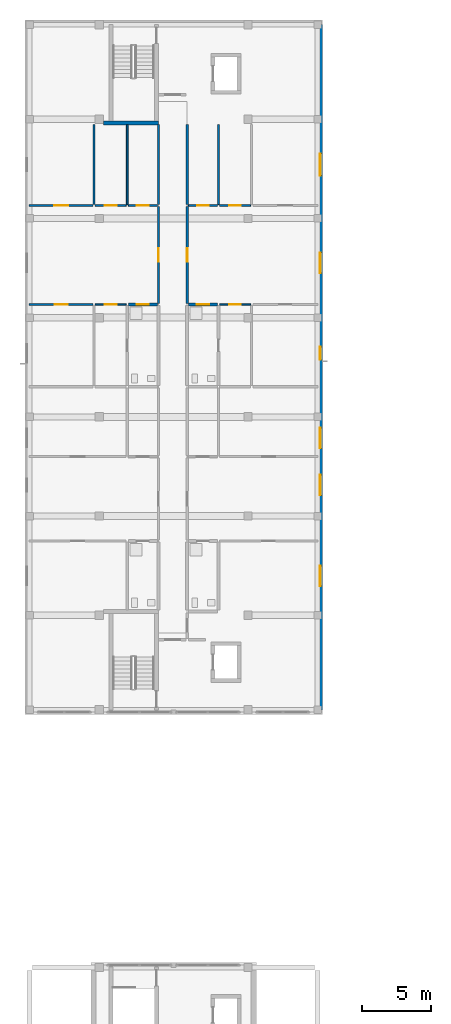
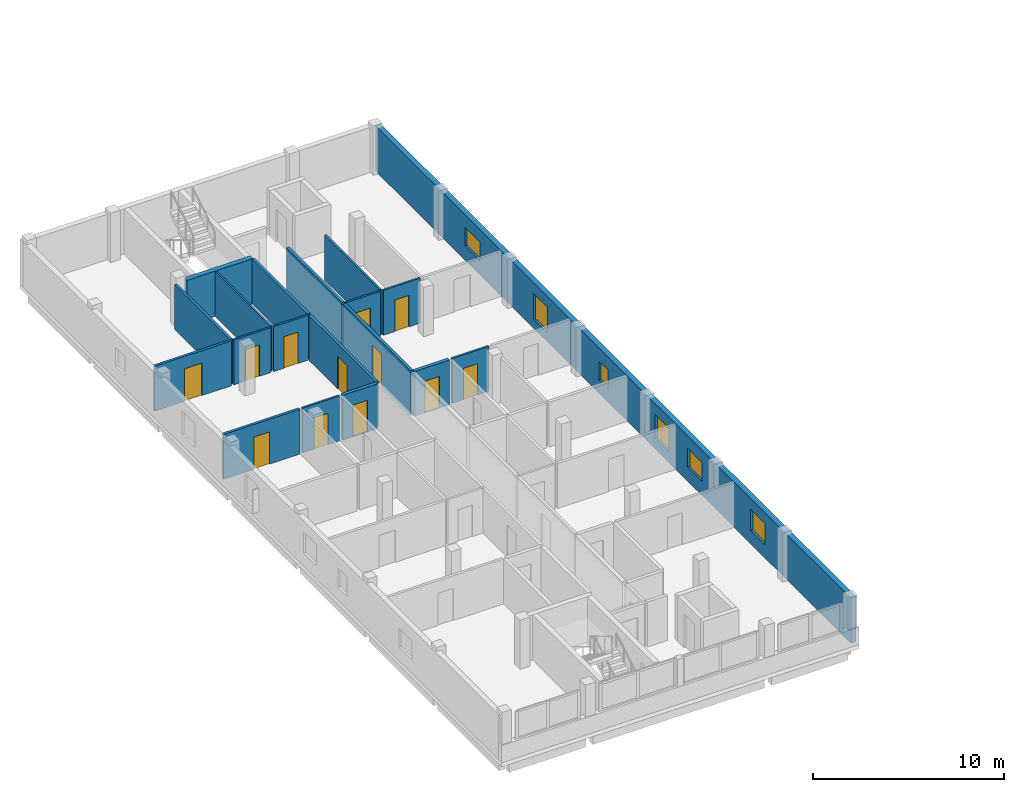
# One storey, part 15 of 34: 19 walls, 12 doors, 6 windows, 18 openings.
"""IFC4 building model written with IfcOpenShell, lengths in metres."""

from ifc_helpers import new_model, si_unit, derived_unit, direction, frame, frame_2d, origin, place, context, subcontext, project, spatial, rectangle, extrude, material, layer, layer_set, type_object, element, fill, save


model = new_model("IFC4")

# Units and contexts
model_context = context("Model", 3, precision=1e-05, world=origin(), true_north=direction((0.0, 1.0)))
body_context = subcontext(model_context, "Body", "Model", "MODEL_VIEW")
ifc_project = project(units=[si_unit("LENGTHUNIT", "METRE"), si_unit("AREAUNIT", "SQUARE_METRE"), si_unit("VOLUMEUNIT", "CUBIC_METRE"), si_unit("PLANEANGLEUNIT", "RADIAN"), si_unit("MASSUNIT", "GRAM", prefix="KILO"), derived_unit("THERMALTRANSMITTANCEUNIT", [(si_unit("MASSUNIT", "GRAM", prefix="KILO"), 1), (si_unit("TIMEUNIT", "SECOND"), -3), (si_unit("THERMODYNAMICTEMPERATUREUNIT", "KELVIN"), -1)])], contexts=[model_context])

# Site, building, storey
site_placement = place(None, origin())
site = spatial("IfcSite", under=ifc_project, at=site_placement, CompositionType="ELEMENT")
building_placement = place(site_placement, origin())
building = spatial("IfcBuilding", under=site, at=building_placement, Name="Ochrekiln Boulevard Commons", CompositionType="ELEMENT")
storey_placement = place(building_placement, frame((0.0, 0.0, 27.824951171875)))
storey = spatial("IfcBuildingStorey", under=building, at=storey_placement, Name="L08", CompositionType="ELEMENT", Elevation=27.824951171875)

# Wall, openings, windows
ifc_material_1 = material(Name="Desert ochre clinker brick masonry ASTM C216 Grade SW", Category="masonry")
ifc_layer_1 = layer(ifc_material_1, 0.320068359375)
ifc_layer_set_1 = layer_set([ifc_layer_1], Name="Desert ochre clinker brick masonry ASTM C216 Grade SW")
wall_type_1 = type_object("IfcWallType", Name="WL-EXT-OCHRE-320", PredefinedType="SOLIDWALL", material=ifc_layer_set_1)
wall_1_placement = place(storey_placement, frame((21.43994140625, 68.719970703125, 0.0), z_axis=(0.0, 0.0, 1.0), x_axis=(0.0, 1.0, 0.0)))
wall_1 = element("IfcWall", 1, at=wall_1_placement, inside=storey, type_object=wall_type_1, Name="Block A L08 E Exterior Wall", PredefinedType="SOLIDWALL", context=body_context, shape_type="SweptSolid", body=[
    extrude(rectangle(XDim=49.760009765625, YDim=0.320068359375, at=frame_2d((24.8798828125, 0.0))), origin(), (0.0, 0.0, 1.0), 2.89013671875),
])
opening_1_placement = place(wall_1_placement, frame((15.590087890625, 0.0, 0.89990234375)))
opening_1 = element("IfcOpeningElement", 2, at=opening_1_placement, cuts=wall_1, Name="Opening W-26", PredefinedType="OPENING", context=body_context, shape_type="SweptSolid", body=[
    extrude(rectangle(XDim=1.47998046875, YDim=1.199951171875, at=frame_2d((0.739990234375, 0.60009765625))), frame((0.0, 0.169921875, 0.0), z_axis=(0.0, -1.0, 0.0), x_axis=(1.0, 0.0, 0.0)), (0.0, 0.0, 1.0), 0.340087890625),
])
opening_2_placement = place(wall_1_placement, frame((8.99609375, 0.0, 0.85498046875)))
opening_2 = element("IfcOpeningElement", 3, at=opening_2_placement, cuts=wall_1, Name="Opening W-27", PredefinedType="OPENING", context=body_context, shape_type="SweptSolid", body=[
    extrude(rectangle(XDim=1.47998046875, YDim=1.35009765625, at=frame_2d((0.739990234375, 0.675048828125))), frame((0.0, 0.169921875, 0.0), z_axis=(0.0, -1.0, 0.0), x_axis=(1.0, 0.0, 0.0)), (0.0, 0.0, 1.0), 0.340087890625),
])
opening_3_placement = place(wall_1_placement, frame((19.0, 0.0, 0.705078125)))
opening_3 = element("IfcOpeningElement", 4, at=opening_3_placement, cuts=wall_1, Name="Opening W-28", PredefinedType="OPENING", context=body_context, shape_type="SweptSolid", body=[
    extrude(rectangle(XDim=1.47998046875, YDim=1.5, at=frame_2d((0.739990234375, 0.75))), frame((0.0, 0.169921875, 0.0), z_axis=(0.0, -1.0, 0.0), x_axis=(1.0, 0.0, 0.0)), (0.0, 0.0, 1.0), 0.340087890625),
])
opening_4_placement = place(wall_1_placement, frame((31.718994140625, 0.0, 0.554931640625)))
opening_4 = element("IfcOpeningElement", 5, at=opening_4_placement, cuts=wall_1, Name="Opening W-29", PredefinedType="OPENING", context=body_context, shape_type="SweptSolid", body=[
    extrude(rectangle(XDim=1.47998046875, YDim=1.64990234375, at=frame_2d((0.739990234375, 0.824951171875))), frame((0.0, 0.169921875, 0.0), z_axis=(0.0, -1.0, 0.0), x_axis=(1.0, 0.0, 0.0)), (0.0, 0.0, 1.0), 0.340087890625),
])
opening_5_placement = place(wall_1_placement, frame((25.410888671875, 0.0, 0.85009765625)))
opening_5 = element("IfcOpeningElement", 6, at=opening_5_placement, cuts=wall_1, Name="Opening W-01", PredefinedType="OPENING", context=body_context, shape_type="SweptSolid", body=[
    extrude(rectangle(XDim=0.949951171875, YDim=1.199951171875, at=frame_2d((0.47509765625, 0.60009765625))), frame((0.0, 0.169921875, 0.0), z_axis=(0.0, -1.0, 0.0), x_axis=(1.0, 0.0, 0.0)), (0.0, 0.0, 1.0), 0.340087890625),
])
opening_6_placement = place(wall_1_placement, frame((38.7880859375, 0.0, 0.89990234375)))
opening_6 = element("IfcOpeningElement", 7, at=opening_6_placement, cuts=wall_1, Name="Opening W-31", PredefinedType="OPENING", context=body_context, shape_type="SweptSolid", body=[
    extrude(rectangle(XDim=1.60009765625, YDim=1.199951171875, at=frame_2d((0.800048828125, 0.60009765625))), frame((0.0, 0.169921875, 0.0), z_axis=(0.0, -1.0, 0.0), x_axis=(1.0, 0.0, 0.0)), (0.0, 0.0, 1.0), 0.340087890625),
])
ifc_material_2 = material(Name="Thermally broken aluminium-clad oak frame", Category="aluminium")
window_type_1 = type_object("IfcWindowType", Name="WIN-EXT-01", PartitioningType="SINGLE_PANEL", PredefinedType="WINDOW", material=ifc_material_2)
window_1_placement = place(opening_5_placement, origin())
window_1 = element("IfcWindow", 8, at=window_1_placement, inside=storey, type_object=window_type_1, Name="Block A L08 Punched Masonry Window W-01", OverallHeight=1.199951171875, OverallWidth=0.949951171875, PartitioningType="SINGLE_PANEL", PredefinedType="WINDOW", context=body_context, shape_type="SweptSolid", body=[
    extrude(rectangle(XDim=0.949951171875, YDim=1.199951171875, at=frame_2d((0.47509765625, 0.60009765625))), frame((0.0, 0.030029296875, 0.0), z_axis=(0.0, -1.0, 0.0), x_axis=(1.0, 0.0, 0.0)), (0.0, 0.0, 1.0), 0.06005859375),
])
fill(opening_5, window_1)
window_type_2 = type_object("IfcWindowType", Name="WIN-EXT-26", PartitioningType="SINGLE_PANEL", PredefinedType="WINDOW", material=ifc_material_2)
window_2_placement = place(opening_1_placement, origin())
window_2 = element("IfcWindow", 9, at=window_2_placement, inside=storey, type_object=window_type_2, Name="Block A L08 Punched Masonry Window W-26", OverallHeight=1.199951171875, OverallWidth=1.47998046875, PartitioningType="SINGLE_PANEL", PredefinedType="WINDOW", context=body_context, shape_type="SweptSolid", body=[
    extrude(rectangle(XDim=1.47998046875, YDim=1.199951171875, at=frame_2d((0.739990234375, 0.60009765625))), frame((0.0, 0.030029296875, 0.0), z_axis=(0.0, -1.0, 0.0), x_axis=(1.0, 0.0, 0.0)), (0.0, 0.0, 1.0), 0.06005859375),
])
fill(opening_1, window_2)
window_type_3 = type_object("IfcWindowType", Name="WIN-EXT-27", PartitioningType="SINGLE_PANEL", PredefinedType="WINDOW", material=ifc_material_2)
window_3_placement = place(opening_2_placement, origin())
window_3 = element("IfcWindow", 10, at=window_3_placement, inside=storey, type_object=window_type_3, Name="Block A L08 Punched Masonry Window W-27", OverallHeight=1.35009765625, OverallWidth=1.47998046875, PartitioningType="SINGLE_PANEL", PredefinedType="WINDOW", context=body_context, shape_type="SweptSolid", body=[
    extrude(rectangle(XDim=1.47998046875, YDim=1.35009765625, at=frame_2d((0.739990234375, 0.675048828125))), frame((0.0, 0.030029296875, 0.0), z_axis=(0.0, -1.0, 0.0), x_axis=(1.0, 0.0, 0.0)), (0.0, 0.0, 1.0), 0.06005859375),
])
fill(opening_2, window_3)
window_type_4 = type_object("IfcWindowType", Name="WIN-EXT-28", PartitioningType="SINGLE_PANEL", PredefinedType="WINDOW", material=ifc_material_2)
window_4_placement = place(opening_3_placement, origin())
window_4 = element("IfcWindow", 11, at=window_4_placement, inside=storey, type_object=window_type_4, Name="Block A L08 Punched Masonry Window W-28", OverallHeight=1.5, OverallWidth=1.47998046875, PartitioningType="SINGLE_PANEL", PredefinedType="WINDOW", context=body_context, shape_type="SweptSolid", body=[
    extrude(rectangle(XDim=1.47998046875, YDim=1.5, at=frame_2d((0.739990234375, 0.75))), frame((0.0, 0.030029296875, 0.0), z_axis=(0.0, -1.0, 0.0), x_axis=(1.0, 0.0, 0.0)), (0.0, 0.0, 1.0), 0.06005859375),
])
fill(opening_3, window_4)
window_type_5 = type_object("IfcWindowType", Name="WIN-EXT-29", PartitioningType="SINGLE_PANEL", PredefinedType="WINDOW", material=ifc_material_2)
window_5_placement = place(opening_4_placement, origin())
window_5 = element("IfcWindow", 12, at=window_5_placement, inside=storey, type_object=window_type_5, Name="Block A L08 Punched Masonry Window W-29", OverallHeight=1.64990234375, OverallWidth=1.47998046875, PartitioningType="SINGLE_PANEL", PredefinedType="WINDOW", context=body_context, shape_type="SweptSolid", body=[
    extrude(rectangle(XDim=1.47998046875, YDim=1.64990234375, at=frame_2d((0.739990234375, 0.824951171875))), frame((0.0, 0.030029296875, 0.0), z_axis=(0.0, -1.0, 0.0), x_axis=(1.0, 0.0, 0.0)), (0.0, 0.0, 1.0), 0.06005859375),
])
fill(opening_4, window_5)
window_type_6 = type_object("IfcWindowType", Name="WIN-EXT-31", PartitioningType="DOUBLE_PANEL_VERTICAL", PredefinedType="WINDOW", material=ifc_material_2)
window_6_placement = place(opening_6_placement, origin())
window_6 = element("IfcWindow", 13, at=window_6_placement, inside=storey, type_object=window_type_6, Name="Block A L08 Punched Masonry Window W-31", OverallHeight=1.199951171875, OverallWidth=1.60009765625, PartitioningType="DOUBLE_PANEL_VERTICAL", PredefinedType="WINDOW", context=body_context, shape_type="SweptSolid", body=[
    extrude(rectangle(XDim=1.60009765625, YDim=1.199951171875, at=frame_2d((0.800048828125, 0.60009765625))), frame((0.0, 0.030029296875, 0.0), z_axis=(0.0, -1.0, 0.0), x_axis=(1.0, 0.0, 0.0)), (0.0, 0.0, 1.0), 0.06005859375),
])
fill(opening_6, window_6)

# Wall, opening, door
ifc_material_3 = material(Name="Moisture-resistant cementitious tile backer wall")
ifc_layer_2 = layer(ifc_material_3, 0.199951171875)
ifc_layer_set_2 = layer_set([ifc_layer_2], Name="Moisture-resistant cementitious tile backer wall")
wall_type_2 = type_object("IfcWallType", Name="WL-PLM-200", PredefinedType="PLUMBINGWALL", material=ifc_layer_set_2)
wall_2_placement = place(storey_placement, frame((7.52001953125, 98.14697265625, 0.0), z_axis=(0.0, 0.0, 1.0), x_axis=(1.0, 0.0, 0.0)))
wall_2 = element("IfcWall", 14, at=wall_2_placement, inside=storey, type_object=wall_type_2, Name="L08 Interior Wall W-PW200", PredefinedType="PLUMBINGWALL", context=body_context, shape_type="SweptSolid", body=[
    extrude(rectangle(XDim=2.10791015625, YDim=0.199951171875, at=frame_2d((1.053955078125, 0.0))), origin(), (0.0, 0.0, 1.0), 2.8701171875),
])
opening_7_placement = place(wall_2_placement, frame((0.60498046875, 0.0, 0.0)))
opening_7 = element("IfcOpeningElement", 15, at=opening_7_placement, cuts=wall_2, Name="Opening D-L08-1013", PredefinedType="OPENING", context=body_context, shape_type="SweptSolid", body=[
    extrude(rectangle(XDim=0.889892578125, YDim=2.030029296875, at=frame_2d((0.44482421875, 1.01513671875))), frame((0.0, 0.10986328125, 0.0), z_axis=(0.0, -1.0, 0.0), x_axis=(1.0, 0.0, 0.0)), (0.0, 0.0, 1.0), 0.219970703125),
])
ifc_material_4 = material(Name="Solid core architectural oak door leaf")
door_type_1 = type_object("IfcDoorType", Name="DR-INT-BTH-089", OperationType="NOTDEFINED", PredefinedType="DOOR", material=ifc_material_4)
door_1_placement = place(opening_7_placement, frame((0.889892578125, 0.0, 0.0), z_axis=(0.0, 0.0, 1.0), x_axis=(-1.0, 0.0, 0.0)))
door_1 = element("IfcDoor", 16, at=door_1_placement, inside=storey, type_object=door_type_1, Name="L08 Interior Door to Apartment Bathroom", OperationType="SINGLE_SWING_LEFT", OverallHeight=2.030029296875, OverallWidth=0.889892578125, PredefinedType="DOOR", context=body_context, shape_type="SweptSolid", body=[
    extrude(rectangle(XDim=0.889892578125, YDim=2.030029296875, at=frame_2d((0.44482421875, 1.01513671875))), frame((0.0, 0.02490234375, 0.0), z_axis=(0.0, -1.0, 0.0), x_axis=(1.0, 0.0, 0.0)), (0.0, 0.0, 1.0), 0.050048828125),
])
fill(opening_7, door_1)

wall_3_placement = place(storey_placement, frame((11.8720703125, 98.14697265625, 0.0), z_axis=(0.0, 0.0, 1.0), x_axis=(1.0, 0.0, 0.0)))
wall_3 = element("IfcWall", 17, at=wall_3_placement, inside=storey, type_object=wall_type_2, Name="L08 Interior Wall W-PW200", PredefinedType="PLUMBINGWALL", context=body_context, shape_type="SweptSolid", body=[
    extrude(rectangle(XDim=2.10791015625, YDim=0.199951171875, at=frame_2d((1.053955078125, 0.0))), origin(), (0.0, 0.0, 1.0), 2.8701171875),
])
opening_8_placement = place(wall_3_placement, frame((0.613037109375, 0.0, 0.0)))
opening_8 = element("IfcOpeningElement", 18, at=opening_8_placement, cuts=wall_3, Name="Opening D-L08-1024", PredefinedType="OPENING", context=body_context, shape_type="SweptSolid", body=[
    extrude(rectangle(XDim=0.889892578125, YDim=2.030029296875, at=frame_2d((0.44482421875, 1.01513671875))), frame((0.0, 0.10986328125, 0.0), z_axis=(0.0, -1.0, 0.0), x_axis=(1.0, 0.0, 0.0)), (0.0, 0.0, 1.0), 0.219970703125),
])
door_2_placement = place(opening_8_placement, frame((0.889892578125, 0.0, 0.0), z_axis=(0.0, 0.0, 1.0), x_axis=(-1.0, 0.0, 0.0)))
door_2 = element("IfcDoor", 19, at=door_2_placement, inside=storey, type_object=door_type_1, Name="L08 Interior Door to Apartment Bathroom", OperationType="SINGLE_SWING_RIGHT", OverallHeight=2.030029296875, OverallWidth=0.889892578125, PredefinedType="DOOR", context=body_context, shape_type="SweptSolid", body=[
    extrude(rectangle(XDim=0.889892578125, YDim=2.030029296875, at=frame_2d((0.44482421875, 1.01513671875))), frame((0.0, 0.02490234375, 0.0), z_axis=(0.0, -1.0, 0.0), x_axis=(1.0, 0.0, 0.0)), (0.0, 0.0, 1.0), 0.050048828125),
])
fill(opening_8, door_2)

ifc_material_5 = material(Name="Fire-rated Type X gypsum board on steel studs", Category="steel")
ifc_layer_3 = layer(ifc_material_5, 0.1650390625)
ifc_layer_set_3 = layer_set([ifc_layer_3], Name="Fire-rated Type X gypsum board on steel studs")
wall_type_3 = type_object("IfcWallType", Name="WL-PT-CORR-165", PredefinedType="PARTITIONING", material=ifc_layer_set_3)
wall_4_placement = place(storey_placement, frame((9.7099609375, 98.22705078125, 0.0), z_axis=(0.0, 0.0, 1.0), x_axis=(0.0, 1.0, 0.0)))
wall_4 = element("IfcWall", 20, at=wall_4_placement, inside=storey, type_object=wall_type_3, Name="L08 Interior Wall W-PC165", PredefinedType="PARTITIONING", context=body_context, shape_type="SweptSolid", body=[
    extrude(rectangle(XDim=7.02783203125, YDim=0.1650390625, at=frame_2d((3.513916015625, 0.0))), origin(), (0.0, 0.0, 1.0), 2.8701171875),
])
opening_9_placement = place(wall_4_placement, frame((3.02392578125, 0.0, 0.0)))
opening_9 = element("IfcOpeningElement", 21, at=opening_9_placement, cuts=wall_4, Name="Opening D-L08-1006", PredefinedType="OPENING", context=body_context, shape_type="SweptSolid", body=[
    extrude(rectangle(XDim=0.97998046875, YDim=2.080078125, at=frame_2d((0.489990234375, 1.0400390625))), frame((0.0, 0.092529296875, 0.0), z_axis=(0.0, -1.0, 0.0), x_axis=(1.0, 0.0, 0.0)), (0.0, 0.0, 1.0), 0.18505859375),
])
door_type_2 = type_object("IfcDoorType", Name="DR-APT-60", OperationType="NOTDEFINED", PredefinedType="DOOR", material=ifc_material_4)
door_3_placement = place(opening_9_placement, origin())
door_3 = element("IfcDoor", 22, at=door_3_placement, inside=storey, type_object=door_type_2, Name="L08 Interior Door to Two-Bedroom Apartment Living Room", OperationType="SINGLE_SWING_RIGHT", OverallHeight=2.080078125, OverallWidth=0.97998046875, PredefinedType="DOOR", context=body_context, shape_type="SweptSolid", body=[
    extrude(rectangle(XDim=0.97998046875, YDim=2.080078125, at=frame_2d((0.489990234375, 1.0400390625))), frame((0.0, 0.02490234375, 0.0), z_axis=(0.0, -1.0, 0.0), x_axis=(1.0, 0.0, 0.0)), (0.0, 0.0, 1.0), 0.050048828125),
])
fill(opening_9, door_3)

# Wall
wall_5_placement = place(storey_placement, frame((9.7099609375, 105.4150390625, 0.0), z_axis=(0.0, 0.0, 1.0), x_axis=(0.0, 1.0, 0.0)))
element("IfcWall", 23, at=wall_5_placement, inside=storey, type_object=wall_type_3, Name="L08 Interior Wall W-PC165", PredefinedType="PARTITIONING", context=body_context, shape_type="SweptSolid", body=[
    extrude(rectangle(XDim=5.784912109375, YDim=0.1650390625, at=frame_2d((2.892578125, 0.0))), origin(), (0.0, 0.0, 1.0), 2.8701171875),
])

# Wall, opening, door
wall_6_placement = place(storey_placement, frame((11.7900390625, 98.22705078125, 0.0), z_axis=(0.0, 0.0, 1.0), x_axis=(0.0, 1.0, 0.0)))
wall_6 = element("IfcWall", 24, at=wall_6_placement, inside=storey, type_object=wall_type_3, Name="L08 Interior Wall W-PC165", PredefinedType="PARTITIONING", context=body_context, shape_type="SweptSolid", body=[
    extrude(rectangle(XDim=7.02783203125, YDim=0.1650390625, at=frame_2d((3.513916015625, 0.0))), origin(), (0.0, 0.0, 1.0), 2.8701171875),
])
opening_10_placement = place(wall_6_placement, frame((3.02392578125, 0.0, 0.0)))
opening_10 = element("IfcOpeningElement", 25, at=opening_10_placement, cuts=wall_6, Name="Opening D-L08-1008", PredefinedType="OPENING", context=body_context, shape_type="SweptSolid", body=[
    extrude(rectangle(XDim=0.97998046875, YDim=2.080078125, at=frame_2d((0.489990234375, 1.0400390625))), frame((0.0, 0.092529296875, 0.0), z_axis=(0.0, -1.0, 0.0), x_axis=(1.0, 0.0, 0.0)), (0.0, 0.0, 1.0), 0.18505859375),
])
door_4_placement = place(opening_10_placement, frame((0.97998046875, 0.0, 0.0), z_axis=(0.0, 0.0, 1.0), x_axis=(-1.0, 0.0, 0.0)))
door_4 = element("IfcDoor", 26, at=door_4_placement, inside=storey, type_object=door_type_2, Name="L08 Interior Door to Two-Bedroom Apartment Living Room", OperationType="SINGLE_SWING_RIGHT", OverallHeight=2.080078125, OverallWidth=0.97998046875, PredefinedType="DOOR", context=body_context, shape_type="SweptSolid", body=[
    extrude(rectangle(XDim=0.97998046875, YDim=2.080078125, at=frame_2d((0.489990234375, 1.0400390625))), frame((0.0, 0.02490234375, 0.0), z_axis=(0.0, -1.0, 0.0), x_axis=(1.0, 0.0, 0.0)), (0.0, 0.0, 1.0), 0.050048828125),
])
fill(opening_10, door_4)

# Wall
wall_7_placement = place(storey_placement, frame((11.7900390625, 105.4150390625, 0.0), z_axis=(0.0, 0.0, 1.0), x_axis=(0.0, 1.0, 0.0)))
element("IfcWall", 27, at=wall_7_placement, inside=storey, type_object=wall_type_3, Name="L08 Interior Wall W-PC165", PredefinedType="PARTITIONING", context=body_context, shape_type="SweptSolid", body=[
    extrude(rectangle(XDim=5.784912109375, YDim=0.1650390625, at=frame_2d((2.892578125, 0.0))), origin(), (0.0, 0.0, 1.0), 2.8701171875),
])

# Wall, opening, door
ifc_layer_4 = layer(ifc_material_5, 0.1201171875)
ifc_layer_set_4 = layer_set([ifc_layer_4], Name="Fire-rated Type X gypsum board on steel studs")
wall_type_4 = type_object("IfcWallType", Name="WL-PT-LGT-120", PredefinedType="PARTITIONING", material=ifc_layer_set_4)
wall_8_placement = place(storey_placement, frame((7.52001953125, 105.3349609375, 0.0), z_axis=(0.0, 0.0, 1.0), x_axis=(1.0, 0.0, 0.0)))
wall_8 = element("IfcWall", 28, at=wall_8_placement, inside=storey, type_object=wall_type_4, Name="L08 Interior Wall W-PL120", PredefinedType="PARTITIONING", context=body_context, shape_type="SweptSolid", body=[
    extrude(rectangle(XDim=2.10791015625, YDim=0.1201171875, at=frame_2d((1.053955078125, 0.0))), origin(), (0.0, 0.0, 1.0), 2.8701171875),
])
opening_11_placement = place(wall_8_placement, frame((0.625, 0.0, 0.0)))
opening_11 = element("IfcOpeningElement", 29, at=opening_11_placement, cuts=wall_8, Name="Opening D-L08-1014", PredefinedType="OPENING", context=body_context, shape_type="SweptSolid", body=[
    extrude(rectangle(XDim=0.85009765625, YDim=2.010009765625, at=frame_2d((0.425048828125, 1.0048828125))), frame((0.0, 0.070068359375, 0.0), z_axis=(0.0, -1.0, 0.0), x_axis=(1.0, 0.0, 0.0)), (0.0, 0.0, 1.0), 0.14013671875),
])
door_type_3 = type_object("IfcDoorType", Name="DR-INT-KIT-085", OperationType="NOTDEFINED", PredefinedType="DOOR", material=ifc_material_4)
door_5_placement = place(opening_11_placement, origin())
door_5 = element("IfcDoor", 30, at=door_5_placement, inside=storey, type_object=door_type_3, Name="L08 Interior Door to Apartment Kitchen", OperationType="SINGLE_SWING_RIGHT", OverallHeight=2.010009765625, OverallWidth=0.85009765625, PredefinedType="DOOR", context=body_context, shape_type="SweptSolid", body=[
    extrude(rectangle(XDim=0.85009765625, YDim=2.010009765625, at=frame_2d((0.425048828125, 1.0048828125))), frame((0.0, 0.02490234375, 0.0), z_axis=(0.0, -1.0, 0.0), x_axis=(1.0, 0.0, 0.0)), (0.0, 0.0, 1.0), 0.050048828125),
])
fill(opening_11, door_5)

wall_9_placement = place(storey_placement, frame((5.110107421875, 98.14697265625, 0.0), z_axis=(0.0, 0.0, 1.0), x_axis=(1.0, 0.0, 0.0)))
wall_9 = element("IfcWall", 31, at=wall_9_placement, inside=storey, type_object=wall_type_4, Name="L08 Interior Wall W-PL120", PredefinedType="PARTITIONING", context=body_context, shape_type="SweptSolid", body=[
    extrude(rectangle(XDim=2.25, YDim=0.1201171875, at=frame_2d((1.125, 0.0))), origin(), (0.0, 0.0, 1.0), 2.8701171875),
])
opening_12_placement = place(wall_9_placement, frame((0.699951171875, 0.0, 0.0)))
opening_12 = element("IfcOpeningElement", 32, at=opening_12_placement, cuts=wall_9, Name="Opening D-L08-1016", PredefinedType="OPENING", context=body_context, shape_type="SweptSolid", body=[
    extrude(rectangle(XDim=0.85009765625, YDim=2.010009765625, at=frame_2d((0.425048828125, 1.0048828125))), frame((0.0, 0.070068359375, 0.0), z_axis=(0.0, -1.0, 0.0), x_axis=(1.0, 0.0, 0.0)), (0.0, 0.0, 1.0), 0.14013671875),
])
door_6_placement = place(opening_12_placement, frame((0.85009765625, 0.0, 0.0), z_axis=(0.0, 0.0, 1.0), x_axis=(-1.0, 0.0, 0.0)))
door_6 = element("IfcDoor", 33, at=door_6_placement, inside=storey, type_object=door_type_3, Name="L08 Interior Door to Apartment Walk-In Wardrobe", OperationType="SINGLE_SWING_RIGHT", OverallHeight=2.010009765625, OverallWidth=0.85009765625, PredefinedType="DOOR", context=body_context, shape_type="SweptSolid", body=[
    extrude(rectangle(XDim=0.85009765625, YDim=2.010009765625, at=frame_2d((0.425048828125, 1.0048828125))), frame((0.0, 0.02490234375, 0.0), z_axis=(0.0, -1.0, 0.0), x_axis=(1.0, 0.0, 0.0)), (0.0, 0.0, 1.0), 0.050048828125),
])
fill(opening_12, door_6)

wall_10_placement = place(storey_placement, frame((5.110107421875, 105.3349609375, 0.0), z_axis=(0.0, 0.0, 1.0), x_axis=(1.0, 0.0, 0.0)))
wall_10 = element("IfcWall", 34, at=wall_10_placement, inside=storey, type_object=wall_type_4, Name="L08 Interior Wall W-PL120", PredefinedType="PARTITIONING", context=body_context, shape_type="SweptSolid", body=[
    extrude(rectangle(XDim=2.25, YDim=0.1201171875, at=frame_2d((1.125, 0.0))), origin(), (0.0, 0.0, 1.0), 2.8701171875),
])
opening_13_placement = place(wall_10_placement, frame((0.699951171875, 0.0, 0.0)))
opening_13 = element("IfcOpeningElement", 35, at=opening_13_placement, cuts=wall_10, Name="Opening D-L08-1018", PredefinedType="OPENING", context=body_context, shape_type="SweptSolid", body=[
    extrude(rectangle(XDim=0.85009765625, YDim=2.010009765625, at=frame_2d((0.425048828125, 1.0048828125))), frame((0.0, 0.070068359375, 0.0), z_axis=(0.0, -1.0, 0.0), x_axis=(1.0, 0.0, 0.0)), (0.0, 0.0, 1.0), 0.14013671875),
])
door_7_placement = place(opening_13_placement, origin())
door_7 = element("IfcDoor", 36, at=door_7_placement, inside=storey, type_object=door_type_3, Name="L08 Interior Door to Apartment Walk-In Wardrobe", OperationType="SINGLE_SWING_RIGHT", OverallHeight=2.010009765625, OverallWidth=0.85009765625, PredefinedType="DOOR", context=body_context, shape_type="SweptSolid", body=[
    extrude(rectangle(XDim=0.85009765625, YDim=2.010009765625, at=frame_2d((0.425048828125, 1.0048828125))), frame((0.0, 0.02490234375, 0.0), z_axis=(0.0, -1.0, 0.0), x_axis=(1.0, 0.0, 0.0)), (0.0, 0.0, 1.0), 0.050048828125),
])
fill(opening_13, door_7)

# Wall
wall_11_placement = place(storey_placement, frame((7.43994140625, 105.39501953125, 0.0), z_axis=(0.0, 0.0, 1.0), x_axis=(0.0, 1.0, 0.0)))
element("IfcWall", 37, at=wall_11_placement, inside=storey, type_object=wall_type_4, Name="L08 Interior Wall W-PL120", PredefinedType="PARTITIONING", context=body_context, shape_type="SweptSolid", body=[
    extrude(rectangle(XDim=5.804931640625, YDim=0.1201171875, at=frame_2d((2.90234375, 0.0))), origin(), (0.0, 0.0, 1.0), 2.8701171875),
])

# Wall, opening, door
wall_12_placement = place(storey_placement, frame((11.8720703125, 105.3349609375, 0.0), z_axis=(0.0, 0.0, 1.0), x_axis=(1.0, 0.0, 0.0)))
wall_12 = element("IfcWall", 38, at=wall_12_placement, inside=storey, type_object=wall_type_4, Name="L08 Interior Wall W-PL120", PredefinedType="PARTITIONING", context=body_context, shape_type="SweptSolid", body=[
    extrude(rectangle(XDim=2.10791015625, YDim=0.1201171875, at=frame_2d((1.053955078125, 0.0))), origin(), (0.0, 0.0, 1.0), 2.8701171875),
])
opening_14_placement = place(wall_12_placement, frame((0.633056640625, 0.0, 0.0)))
opening_14 = element("IfcOpeningElement", 39, at=opening_14_placement, cuts=wall_12, Name="Opening D-L08-1025", PredefinedType="OPENING", context=body_context, shape_type="SweptSolid", body=[
    extrude(rectangle(XDim=0.85009765625, YDim=2.010009765625, at=frame_2d((0.425048828125, 1.0048828125))), frame((0.0, 0.070068359375, 0.0), z_axis=(0.0, -1.0, 0.0), x_axis=(1.0, 0.0, 0.0)), (0.0, 0.0, 1.0), 0.14013671875),
])
door_8_placement = place(opening_14_placement, origin())
door_8 = element("IfcDoor", 40, at=door_8_placement, inside=storey, type_object=door_type_3, Name="L08 Interior Door to Apartment Kitchen", OperationType="SINGLE_SWING_LEFT", OverallHeight=2.010009765625, OverallWidth=0.85009765625, PredefinedType="DOOR", context=body_context, shape_type="SweptSolid", body=[
    extrude(rectangle(XDim=0.85009765625, YDim=2.010009765625, at=frame_2d((0.425048828125, 1.0048828125))), frame((0.0, 0.02490234375, 0.0), z_axis=(0.0, -1.0, 0.0), x_axis=(1.0, 0.0, 0.0)), (0.0, 0.0, 1.0), 0.050048828125),
])
fill(opening_14, door_8)

wall_13_placement = place(storey_placement, frame((14.139892578125, 98.14697265625, 0.0), z_axis=(0.0, 0.0, 1.0), x_axis=(1.0, 0.0, 0.0)))
wall_13 = element("IfcWall", 41, at=wall_13_placement, inside=storey, type_object=wall_type_4, Name="L08 Interior Wall W-PL120", PredefinedType="PARTITIONING", context=body_context, shape_type="SweptSolid", body=[
    extrude(rectangle(XDim=2.25, YDim=0.1201171875, at=frame_2d((1.125, 0.0))), origin(), (0.0, 0.0, 1.0), 2.8701171875),
])
opening_15_placement = place(wall_13_placement, frame((0.699951171875, 0.0, 0.0)))
opening_15 = element("IfcOpeningElement", 42, at=opening_15_placement, cuts=wall_13, Name="Opening D-L08-1027", PredefinedType="OPENING", context=body_context, shape_type="SweptSolid", body=[
    extrude(rectangle(XDim=0.85009765625, YDim=2.010009765625, at=frame_2d((0.425048828125, 1.0048828125))), frame((0.0, 0.070068359375, 0.0), z_axis=(0.0, -1.0, 0.0), x_axis=(1.0, 0.0, 0.0)), (0.0, 0.0, 1.0), 0.14013671875),
])
door_9_placement = place(opening_15_placement, frame((0.85009765625, 0.0, 0.0), z_axis=(0.0, 0.0, 1.0), x_axis=(-1.0, 0.0, 0.0)))
door_9 = element("IfcDoor", 43, at=door_9_placement, inside=storey, type_object=door_type_3, Name="L08 Interior Door to Apartment Walk-In Wardrobe", OperationType="SINGLE_SWING_LEFT", OverallHeight=2.010009765625, OverallWidth=0.85009765625, PredefinedType="DOOR", context=body_context, shape_type="SweptSolid", body=[
    extrude(rectangle(XDim=0.85009765625, YDim=2.010009765625, at=frame_2d((0.425048828125, 1.0048828125))), frame((0.0, 0.02490234375, 0.0), z_axis=(0.0, -1.0, 0.0), x_axis=(1.0, 0.0, 0.0)), (0.0, 0.0, 1.0), 0.050048828125),
])
fill(opening_15, door_9)

wall_14_placement = place(storey_placement, frame((14.139892578125, 105.3349609375, 0.0), z_axis=(0.0, 0.0, 1.0), x_axis=(1.0, 0.0, 0.0)))
wall_14 = element("IfcWall", 44, at=wall_14_placement, inside=storey, type_object=wall_type_4, Name="L08 Interior Wall W-PL120", PredefinedType="PARTITIONING", context=body_context, shape_type="SweptSolid", body=[
    extrude(rectangle(XDim=2.25, YDim=0.1201171875, at=frame_2d((1.125, 0.0))), origin(), (0.0, 0.0, 1.0), 2.8701171875),
])
opening_16_placement = place(wall_14_placement, frame((0.699951171875, 0.0, 0.0)))
opening_16 = element("IfcOpeningElement", 45, at=opening_16_placement, cuts=wall_14, Name="Opening D-L08-1029", PredefinedType="OPENING", context=body_context, shape_type="SweptSolid", body=[
    extrude(rectangle(XDim=0.85009765625, YDim=2.010009765625, at=frame_2d((0.425048828125, 1.0048828125))), frame((0.0, 0.070068359375, 0.0), z_axis=(0.0, -1.0, 0.0), x_axis=(1.0, 0.0, 0.0)), (0.0, 0.0, 1.0), 0.14013671875),
])
door_10_placement = place(opening_16_placement, origin())
door_10 = element("IfcDoor", 46, at=door_10_placement, inside=storey, type_object=door_type_3, Name="L08 Interior Door to Apartment Walk-In Wardrobe", OperationType="SINGLE_SWING_LEFT", OverallHeight=2.010009765625, OverallWidth=0.85009765625, PredefinedType="DOOR", context=body_context, shape_type="SweptSolid", body=[
    extrude(rectangle(XDim=0.85009765625, YDim=2.010009765625, at=frame_2d((0.425048828125, 1.0048828125))), frame((0.0, 0.02490234375, 0.0), z_axis=(0.0, -1.0, 0.0), x_axis=(1.0, 0.0, 0.0)), (0.0, 0.0, 1.0), 0.050048828125),
])
fill(opening_16, door_10)

# Wall
wall_15_placement = place(storey_placement, frame((14.06005859375, 105.39501953125, 0.0), z_axis=(0.0, 0.0, 1.0), x_axis=(0.0, 1.0, 0.0)))
element("IfcWall", 47, at=wall_15_placement, inside=storey, type_object=wall_type_4, Name="L08 Interior Wall W-PL120", PredefinedType="PARTITIONING", context=body_context, shape_type="SweptSolid", body=[
    extrude(rectangle(XDim=5.804931640625, YDim=0.1201171875, at=frame_2d((2.90234375, 0.0))), origin(), (0.0, 0.0, 1.0), 2.8701171875),
])

# Wall, opening, door
ifc_layer_5 = layer(ifc_material_5, 0.14990234375)
ifc_layer_set_5 = layer_set([ifc_layer_5], Name="Fire-rated Type X gypsum board on steel studs")
wall_type_5 = type_object("IfcWallType", Name="WL-PT-STD-150", PredefinedType="PARTITIONING", material=ifc_layer_set_5)
wall_16_placement = place(storey_placement, frame((0.320068359375, 98.14697265625, 0.0), z_axis=(0.0, 0.0, 1.0), x_axis=(1.0, 0.0, 0.0)))
wall_16 = element("IfcWall", 48, at=wall_16_placement, inside=storey, type_object=wall_type_5, Name="L08 Interior Wall W-PS150", PredefinedType="PARTITIONING", context=body_context, shape_type="SweptSolid", body=[
    extrude(rectangle(XDim=4.6298828125, YDim=0.14990234375, at=frame_2d((2.31494140625, 0.0))), origin(), (0.0, 0.0, 1.0), 2.8701171875),
])
opening_17_placement = place(wall_16_placement, frame((1.860107421875, 0.0, 0.0)))
opening_17 = element("IfcOpeningElement", 49, at=opening_17_placement, cuts=wall_16, Name="Opening D-L08-1015", PredefinedType="OPENING", context=body_context, shape_type="SweptSolid", body=[
    extrude(rectangle(XDim=0.93994140625, YDim=2.06005859375, at=frame_2d((0.469970703125, 1.030029296875))), frame((0.0, 0.0849609375, 0.0), z_axis=(0.0, -1.0, 0.0), x_axis=(1.0, 0.0, 0.0)), (0.0, 0.0, 1.0), 0.169921875),
])
door_type_4 = type_object("IfcDoorType", Name="DR-INT-BED-094", OperationType="NOTDEFINED", PredefinedType="DOOR", material=ifc_material_4)
door_11_placement = place(opening_17_placement, frame((0.93994140625, 0.0, 0.0), z_axis=(0.0, 0.0, 1.0), x_axis=(-1.0, 0.0, 0.0)))
door_11 = element("IfcDoor", 50, at=door_11_placement, inside=storey, type_object=door_type_4, Name="L08 Interior Door to Primary Apartment Bedroom", OperationType="SINGLE_SWING_LEFT", OverallHeight=2.06005859375, OverallWidth=0.93994140625, PredefinedType="DOOR", context=body_context, shape_type="SweptSolid", body=[
    extrude(rectangle(XDim=0.93994140625, YDim=2.06005859375, at=frame_2d((0.469970703125, 1.030029296875))), frame((0.0, 0.02490234375, 0.0), z_axis=(0.0, -1.0, 0.0), x_axis=(1.0, 0.0, 0.0)), (0.0, 0.0, 1.0), 0.050048828125),
])
fill(opening_17, door_11)

wall_17_placement = place(storey_placement, frame((0.320068359375, 105.3349609375, 0.0), z_axis=(0.0, 0.0, 1.0), x_axis=(1.0, 0.0, 0.0)))
wall_17 = element("IfcWall", 51, at=wall_17_placement, inside=storey, type_object=wall_type_5, Name="L08 Interior Wall W-PS150", PredefinedType="PARTITIONING", context=body_context, shape_type="SweptSolid", body=[
    extrude(rectangle(XDim=4.6298828125, YDim=0.14990234375, at=frame_2d((2.31494140625, 0.0))), origin(), (0.0, 0.0, 1.0), 2.8701171875),
])
opening_18_placement = place(wall_17_placement, frame((1.81005859375, 0.0, 0.0)))
opening_18 = element("IfcOpeningElement", 52, at=opening_18_placement, cuts=wall_17, Name="Opening D-L08-1017", PredefinedType="OPENING", context=body_context, shape_type="SweptSolid", body=[
    extrude(rectangle(XDim=1.0400390625, YDim=2.080078125, at=frame_2d((0.52001953125, 1.0400390625))), frame((0.0, 0.0849609375, 0.0), z_axis=(0.0, -1.0, 0.0), x_axis=(1.0, 0.0, 0.0)), (0.0, 0.0, 1.0), 0.169921875),
])
door_type_5 = type_object("IfcDoorType", Name="DR-INT-BED-104", OperationType="NOTDEFINED", PredefinedType="DOOR", material=ifc_material_4)
door_12_placement = place(opening_18_placement, origin())
door_12 = element("IfcDoor", 53, at=door_12_placement, inside=storey, type_object=door_type_5, Name="L08 Interior Door to Secondary Apartment Bedroom", OperationType="SINGLE_SWING_LEFT", OverallHeight=2.080078125, OverallWidth=1.0400390625, PredefinedType="DOOR", context=body_context, shape_type="SweptSolid", body=[
    extrude(rectangle(XDim=1.0400390625, YDim=2.080078125, at=frame_2d((0.52001953125, 1.0400390625))), frame((0.0, 0.02490234375, 0.0), z_axis=(0.0, -1.0, 0.0), x_axis=(1.0, 0.0, 0.0)), (0.0, 0.0, 1.0), 0.050048828125),
])
fill(opening_18, door_12)

# Walls
wall_18_placement = place(storey_placement, frame((5.030029296875, 105.409912109375, 0.0), z_axis=(0.0, 0.0, 1.0), x_axis=(0.0, 1.0, 0.0)))
element("IfcWall", 54, at=wall_18_placement, inside=storey, type_object=wall_type_5, Name="L08 Interior Wall W-PS150", PredefinedType="PARTITIONING", context=body_context, shape_type="SweptSolid", body=[
    extrude(rectangle(XDim=5.7900390625, YDim=0.14990234375, at=frame_2d((2.89501953125, 0.0))), origin(), (0.0, 0.0, 1.0), 2.8701171875),
])
ifc_material_6 = material(Name="Concrete C40/50", Category="concrete")
ifc_layer_6 = layer(ifc_material_6, 0.300048828125)
ifc_layer_set_6 = layer_set([ifc_layer_6], Name="Concrete C40/50")
wall_type_6 = type_object("IfcWallType", Name="WL-SH-300", PredefinedType="SHEAR", material=ifc_layer_set_6)
wall_19_placement = place(storey_placement, frame((5.699951171875, 111.330078125, 0.0), z_axis=(0.0, 0.0, 1.0), x_axis=(1.0, 0.0, 0.0)))
element("IfcWall", 55, at=wall_19_placement, inside=storey, type_object=wall_type_6, Name="Stair ST-A2 L08 Core Shear Wall S", PredefinedType="SHEAR", context=body_context, shape_type="SweptSolid", body=[
    extrude(rectangle(XDim=4.0, YDim=0.300048828125, at=frame_2d((2.0, 0.0))), origin(), (0.0, 0.0, 1.0), 2.89013671875),
])

save(model, "model.ifc")
